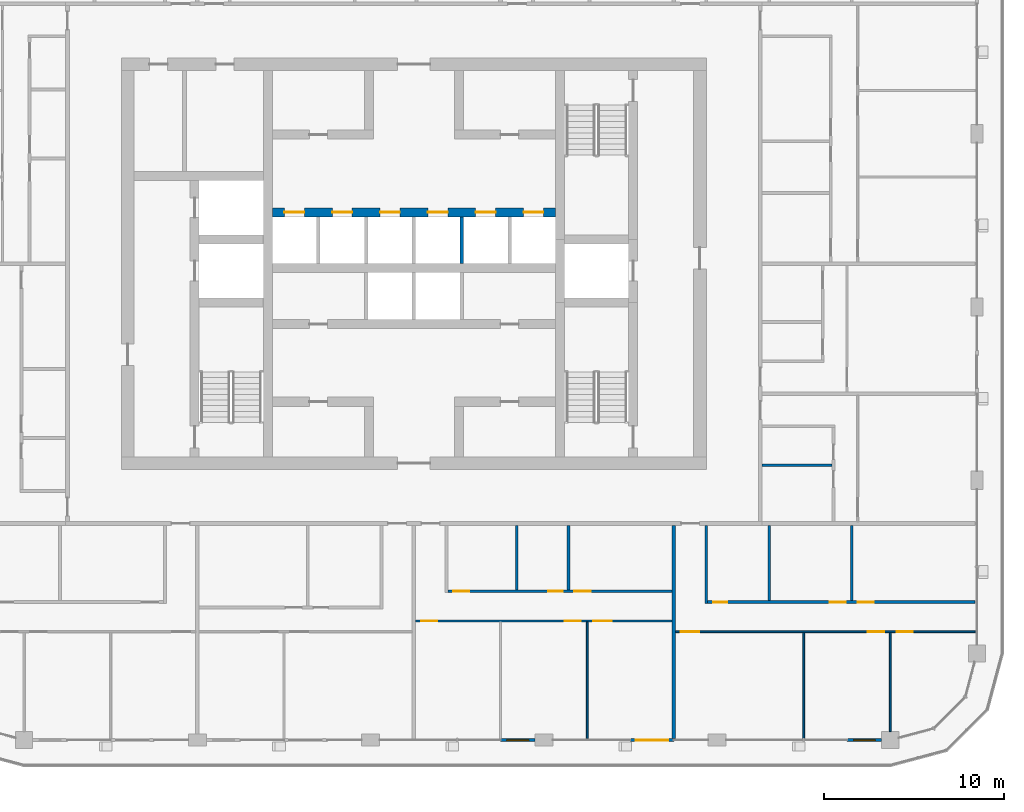
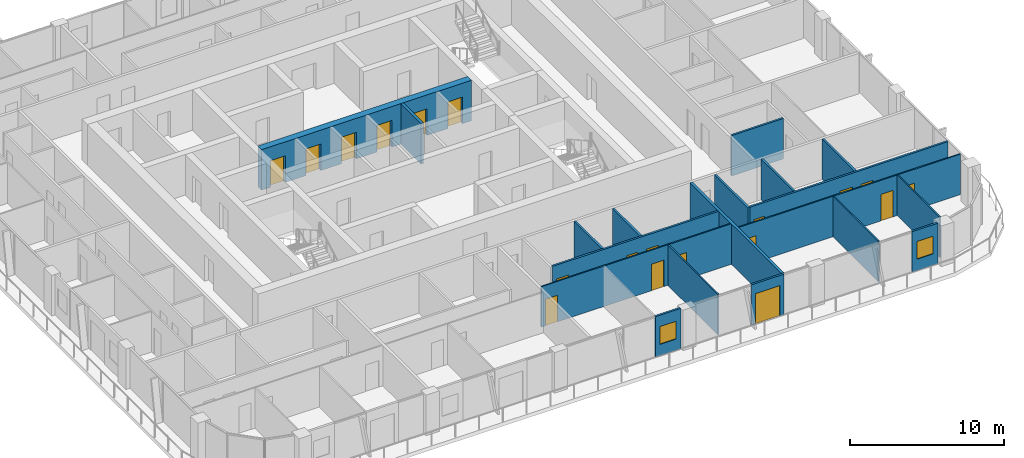
# One storey, part 11 of 21: 19 doors, 19 walls, 2 windows, 21 openings.
"""IFC4 building model written with IfcOpenShell, lengths in metres."""

from ifc_helpers import new_model, si_unit, direction, frame, frame_2d, origin, place, context, subcontext, project, spatial, rectangle, extrude, material, layer, layer_set, type_object, element, fill, save


model = new_model("IFC4")

# Units and contexts
model_context = context("Model", 3, precision=1e-05, world=origin(), true_north=direction((0.0, 1.0)))
body_context = subcontext(model_context, "Body", "Model", "MODEL_VIEW")
ifc_project = project(units=[si_unit("LENGTHUNIT", "METRE"), si_unit("AREAUNIT", "SQUARE_METRE"), si_unit("VOLUMEUNIT", "CUBIC_METRE"), si_unit("PLANEANGLEUNIT", "RADIAN"), si_unit("MASSUNIT", "GRAM", prefix="KILO")], contexts=[model_context])

# Site, building, storey
site_placement = place(None, origin())
site = spatial("IfcSite", under=ifc_project, at=site_placement, CompositionType="ELEMENT")
building_placement = place(site_placement, origin())
building = spatial("IfcBuilding", under=site, at=building_placement, Name="Madar Terraces", CompositionType="ELEMENT")
storey_placement = place(building_placement, frame((0.0, 0.0, 196.39990234375)))
storey = spatial("IfcBuildingStorey", under=building, at=storey_placement, Name="L51", CompositionType="ELEMENT", Elevation=196.39990234375)

# Wall, openings, doors
ifc_material_1 = material(Name="Concrete C60/75", Category="concrete")
ifc_layer_1 = layer(ifc_material_1, 0.5)
ifc_layer_set_1 = layer_set([ifc_layer_1], Name="Concrete C60/75 (CIW4 RC wall 500)")
wall_type_1 = type_object("IfcWallType", Name="CIW4 RC wall 500", PredefinedType="SHEAR", material=ifc_layer_set_1)
wall_1_placement = place(storey_placement, frame((23.35009765625, 29.25, 0.0), z_axis=(0.0, 0.0, 1.0), x_axis=(1.0, 0.0, 0.0)))
wall_1 = element("IfcWall", 1, at=wall_1_placement, inside=storey, type_object=wall_type_1, Name="CORE SHAFT WALL", PredefinedType="SHEAR", context=body_context, shape_type="SweptSolid", body=[
    extrude(rectangle(XDim=15.699951171875, YDim=0.5, at=frame_2d((7.85009765625, 0.0))), origin(), (0.0, 0.0, 1.0), 3.2001953125),
])
opening_1_placement = place(wall_1_placement, frame((0.675048828125, 0.0, 0.0)))
opening_1 = element("IfcOpeningElement", 2, at=opening_1_placement, cuts=wall_1, Name="Opening LD", PredefinedType="OPENING", context=body_context, shape_type="SweptSolid", body=[
    extrude(rectangle(XDim=1.10009765625, YDim=2.10009765625, at=frame_2d((0.550048828125, 1.050048828125))), frame((0.0, 0.260009765625, 0.0), z_axis=(0.0, -1.0, 0.0), x_axis=(1.0, 0.0, 0.0)), (0.0, 0.0, 1.0), 0.52001953125),
])
opening_2_placement = place(wall_1_placement, frame((3.324951171875, 0.0, 0.0)))
opening_2 = element("IfcOpeningElement", 3, at=opening_2_placement, cuts=wall_1, Name="Opening LD", PredefinedType="OPENING", context=body_context, shape_type="SweptSolid", body=[
    extrude(rectangle(XDim=1.10009765625, YDim=2.10009765625, at=frame_2d((0.550048828125, 1.050048828125))), frame((0.0, 0.260009765625, 0.0), z_axis=(0.0, -1.0, 0.0), x_axis=(1.0, 0.0, 0.0)), (0.0, 0.0, 1.0), 0.52001953125),
])
opening_3_placement = place(wall_1_placement, frame((5.97509765625, 0.0, 0.0)))
opening_3 = element("IfcOpeningElement", 4, at=opening_3_placement, cuts=wall_1, Name="Opening LD", PredefinedType="OPENING", context=body_context, shape_type="SweptSolid", body=[
    extrude(rectangle(XDim=1.10009765625, YDim=2.10009765625, at=frame_2d((0.550048828125, 1.050048828125))), frame((0.0, 0.260009765625, 0.0), z_axis=(0.0, -1.0, 0.0), x_axis=(1.0, 0.0, 0.0)), (0.0, 0.0, 1.0), 0.52001953125),
])
opening_4_placement = place(wall_1_placement, frame((8.625, 0.0, 0.0)))
opening_4 = element("IfcOpeningElement", 5, at=opening_4_placement, cuts=wall_1, Name="Opening LD", PredefinedType="OPENING", context=body_context, shape_type="SweptSolid", body=[
    extrude(rectangle(XDim=1.10009765625, YDim=2.10009765625, at=frame_2d((0.550048828125, 1.050048828125))), frame((0.0, 0.260009765625, 0.0), z_axis=(0.0, -1.0, 0.0), x_axis=(1.0, 0.0, 0.0)), (0.0, 0.0, 1.0), 0.52001953125),
])
opening_5_placement = place(wall_1_placement, frame((11.27490234375, 0.0, 0.0)))
opening_5 = element("IfcOpeningElement", 6, at=opening_5_placement, cuts=wall_1, Name="Opening LD", PredefinedType="OPENING", context=body_context, shape_type="SweptSolid", body=[
    extrude(rectangle(XDim=1.10009765625, YDim=2.10009765625, at=frame_2d((0.550048828125, 1.050048828125))), frame((0.0, 0.260009765625, 0.0), z_axis=(0.0, -1.0, 0.0), x_axis=(1.0, 0.0, 0.0)), (0.0, 0.0, 1.0), 0.52001953125),
])
opening_6_placement = place(wall_1_placement, frame((13.925048828125, 0.0, 0.0)))
opening_6 = element("IfcOpeningElement", 7, at=opening_6_placement, cuts=wall_1, Name="Opening LD", PredefinedType="OPENING", context=body_context, shape_type="SweptSolid", body=[
    extrude(rectangle(XDim=1.10009765625, YDim=2.10009765625, at=frame_2d((0.550048828125, 1.050048828125))), frame((0.0, 0.260009765625, 0.0), z_axis=(0.0, -1.0, 0.0), x_axis=(1.0, 0.0, 0.0)), (0.0, 0.0, 1.0), 0.52001953125),
])
ifc_material_2 = material(Name="Stainless steel panel", Category="steel")
door_type_1 = type_object("IfcDoorType", Name="Lift landing door 1100 x 2100", OperationType="DOUBLE_DOOR_SLIDING", PredefinedType="DOOR", material=ifc_material_2)
door_1_placement = place(opening_1_placement, origin())
door_1 = element("IfcDoor", 8, at=door_1_placement, inside=storey, type_object=door_type_1, Name="LIFT LANDING DOOR", OperationType="DOUBLE_DOOR_SLIDING", OverallHeight=2.10009765625, OverallWidth=1.10009765625, PredefinedType="DOOR", context=body_context, shape_type="SweptSolid", body=[
    extrude(rectangle(XDim=1.10009765625, YDim=2.10009765625, at=frame_2d((0.550048828125, 1.050048828125))), frame((0.0, 0.02490234375, 0.0), z_axis=(0.0, -1.0, 0.0), x_axis=(1.0, 0.0, 0.0)), (0.0, 0.0, 1.0), 0.050048828125),
])
fill(opening_1, door_1)
door_2_placement = place(opening_2_placement, origin())
door_2 = element("IfcDoor", 9, at=door_2_placement, inside=storey, type_object=door_type_1, Name="LIFT LANDING DOOR", OperationType="DOUBLE_DOOR_SLIDING", OverallHeight=2.10009765625, OverallWidth=1.10009765625, PredefinedType="DOOR", context=body_context, shape_type="SweptSolid", body=[
    extrude(rectangle(XDim=1.10009765625, YDim=2.10009765625, at=frame_2d((0.550048828125, 1.050048828125))), frame((0.0, 0.02490234375, 0.0), z_axis=(0.0, -1.0, 0.0), x_axis=(1.0, 0.0, 0.0)), (0.0, 0.0, 1.0), 0.050048828125),
])
fill(opening_2, door_2)
door_3_placement = place(opening_3_placement, origin())
door_3 = element("IfcDoor", 10, at=door_3_placement, inside=storey, type_object=door_type_1, Name="LIFT LANDING DOOR", OperationType="DOUBLE_DOOR_SLIDING", OverallHeight=2.10009765625, OverallWidth=1.10009765625, PredefinedType="DOOR", context=body_context, shape_type="SweptSolid", body=[
    extrude(rectangle(XDim=1.10009765625, YDim=2.10009765625, at=frame_2d((0.550048828125, 1.050048828125))), frame((0.0, 0.02490234375, 0.0), z_axis=(0.0, -1.0, 0.0), x_axis=(1.0, 0.0, 0.0)), (0.0, 0.0, 1.0), 0.050048828125),
])
fill(opening_3, door_3)
door_4_placement = place(opening_4_placement, origin())
door_4 = element("IfcDoor", 11, at=door_4_placement, inside=storey, type_object=door_type_1, Name="LIFT LANDING DOOR", OperationType="DOUBLE_DOOR_SLIDING", OverallHeight=2.10009765625, OverallWidth=1.10009765625, PredefinedType="DOOR", context=body_context, shape_type="SweptSolid", body=[
    extrude(rectangle(XDim=1.10009765625, YDim=2.10009765625, at=frame_2d((0.550048828125, 1.050048828125))), frame((0.0, 0.02490234375, 0.0), z_axis=(0.0, -1.0, 0.0), x_axis=(1.0, 0.0, 0.0)), (0.0, 0.0, 1.0), 0.050048828125),
])
fill(opening_4, door_4)
door_5_placement = place(opening_5_placement, origin())
door_5 = element("IfcDoor", 12, at=door_5_placement, inside=storey, type_object=door_type_1, Name="LIFT LANDING DOOR", OperationType="DOUBLE_DOOR_SLIDING", OverallHeight=2.10009765625, OverallWidth=1.10009765625, PredefinedType="DOOR", context=body_context, shape_type="SweptSolid", body=[
    extrude(rectangle(XDim=1.10009765625, YDim=2.10009765625, at=frame_2d((0.550048828125, 1.050048828125))), frame((0.0, 0.02490234375, 0.0), z_axis=(0.0, -1.0, 0.0), x_axis=(1.0, 0.0, 0.0)), (0.0, 0.0, 1.0), 0.050048828125),
])
fill(opening_5, door_5)
door_6_placement = place(opening_6_placement, origin())
door_6 = element("IfcDoor", 13, at=door_6_placement, inside=storey, type_object=door_type_1, Name="LIFT LANDING DOOR", OperationType="DOUBLE_DOOR_SLIDING", OverallHeight=2.10009765625, OverallWidth=1.10009765625, PredefinedType="DOOR", context=body_context, shape_type="SweptSolid", body=[
    extrude(rectangle(XDim=1.10009765625, YDim=2.10009765625, at=frame_2d((0.550048828125, 1.050048828125))), frame((0.0, 0.02490234375, 0.0), z_axis=(0.0, -1.0, 0.0), x_axis=(1.0, 0.0, 0.0)), (0.0, 0.0, 1.0), 0.050048828125),
])
fill(opening_6, door_6)

# Wall
ifc_material_3 = material(Name="Concrete C40/50", Category="concrete")
ifc_layer_2 = layer(ifc_material_3, 0.199951171875)
ifc_layer_set_2 = layer_set([ifc_layer_2], Name="Core shaft dividing wall 200 C40/50")
wall_type_2 = type_object("IfcWallType", Name="Core shaft dividing wall 200 C40/50", PredefinedType="SOLIDWALL", material=ifc_layer_set_2)
wall_2_placement = place(storey_placement, frame((33.85009765625, 26.39990234375, 0.0), z_axis=(0.0, 0.0, 1.0), x_axis=(0.0, 1.0, 0.0)))
element("IfcWall", 14, at=wall_2_placement, inside=storey, type_object=wall_type_2, Name="SHAFT DIVIDING WALL", PredefinedType="SOLIDWALL", context=body_context, shape_type="SweptSolid", body=[
    extrude(rectangle(XDim=2.60009765625, YDim=0.199951171875, at=frame_2d((1.300048828125, 0.0))), origin(), (0.0, 0.0, 1.0), 3.2001953125),
])

# Wall, opening, window
ifc_material_4 = material(Name="Aluminium composite panel, black, over insulated backing", Category="aluminium")
ifc_layer_3 = layer(ifc_material_4, 0.14990234375)
ifc_layer_set_3 = layer_set([ifc_layer_3], Name="Facade bay panel 150")
wall_type_3 = type_object("IfcWallType", Name="Facade bay panel 150", PredefinedType="SOLIDWALL", material=ifc_layer_set_3)
wall_3_placement = place(storey_placement, frame((36.0, 0.0, 0.0), z_axis=(0.0, 0.0, 1.0), x_axis=(1.0, 0.0, 0.0)))
wall_3 = element("IfcWall", 15, at=wall_3_placement, inside=storey, type_object=wall_type_3, Name="Facade bay panel", PredefinedType="SOLIDWALL", context=body_context, shape_type="SweptSolid", body=[
    extrude(rectangle(XDim=1.89990234375, YDim=0.14990234375, at=frame_2d((0.949951171875, 0.0))), origin(), (0.0, 0.0, 1.0), 3.2001953125),
])
opening_7_placement = place(wall_3_placement, frame((0.35009765625, 0.0, 0.89990234375)))
opening_7 = element("IfcOpeningElement", 16, at=opening_7_placement, cuts=wall_3, Name="Opening W1", PredefinedType="OPENING", context=body_context, shape_type="SweptSolid", body=[
    extrude(rectangle(XDim=1.199951171875, YDim=1.39990234375, at=frame_2d((0.60009765625, 0.699951171875))), frame((0.0, 0.0849609375, 0.0), z_axis=(0.0, -1.0, 0.0), x_axis=(1.0, 0.0, 0.0)), (0.0, 0.0, 1.0), 0.169921875),
])
ifc_material_5 = material(Name="Glass, clear, with black aluminium frame", Category="aluminium")
window_type = type_object("IfcWindowType", Name="Vent window 1200 x 1400", PartitioningType="SINGLE_PANEL", PredefinedType="WINDOW", material=ifc_material_5)
window_1_placement = place(opening_7_placement, origin())
window_1 = element("IfcWindow", 17, at=window_1_placement, inside=storey, type_object=window_type, Name="Operable vent window", OverallHeight=1.39990234375, OverallWidth=1.199951171875, PartitioningType="SINGLE_PANEL", PredefinedType="WINDOW", context=body_context, shape_type="SweptSolid", body=[
    extrude(rectangle(XDim=1.199951171875, YDim=1.39990234375, at=frame_2d((0.60009765625, 0.699951171875))), frame((0.0, 0.030029296875, 0.0), z_axis=(0.0, -1.0, 0.0), x_axis=(1.0, 0.0, 0.0)), (0.0, 0.0, 1.0), 0.06005859375),
])
fill(opening_7, window_1)

# Wall, opening, door
wall_4_placement = place(storey_placement, frame((43.199951171875, 0.0, 0.0), z_axis=(0.0, 0.0, 1.0), x_axis=(1.0, 0.0, 0.0)))
wall_4 = element("IfcWall", 18, at=wall_4_placement, inside=storey, type_object=wall_type_3, Name="Facade bay panel", PredefinedType="SOLIDWALL", context=body_context, shape_type="SweptSolid", body=[
    extrude(rectangle(XDim=2.400146484375, YDim=0.14990234375, at=frame_2d((1.2001953125, 0.0))), origin(), (0.0, 0.0, 1.0), 3.2001953125),
])
opening_8_placement = place(wall_4_placement, frame((0.300048828125, 0.0, 0.0)))
opening_8 = element("IfcOpeningElement", 19, at=opening_8_placement, cuts=wall_4, Name="Opening ED1", PredefinedType="OPENING", context=body_context, shape_type="SweptSolid", body=[
    extrude(rectangle(XDim=1.800048828125, YDim=2.39990234375, at=frame_2d((0.89990234375, 1.199951171875))), frame((0.0, 0.0849609375, 0.0), z_axis=(0.0, -1.0, 0.0), x_axis=(1.0, 0.0, 0.0)), (0.0, 0.0, 1.0), 0.169921875),
])
ifc_material_6 = material(Name="Glass, clear, with black aluminium frame", Category="aluminium")
door_type_2 = type_object("IfcDoorType", Name="Balcony and terrace sliding door 1800 x 2400", OperationType="SLIDING_TO_LEFT", PredefinedType="DOOR", material=ifc_material_6)
door_7_placement = place(opening_8_placement, origin())
door_7 = element("IfcDoor", 20, at=door_7_placement, inside=storey, type_object=door_type_2, Name="Balcony door", OperationType="SLIDING_TO_LEFT", OverallHeight=2.39990234375, OverallWidth=1.800048828125, PredefinedType="DOOR", context=body_context, shape_type="SweptSolid", body=[
    extrude(rectangle(XDim=1.800048828125, YDim=2.39990234375, at=frame_2d((0.89990234375, 1.199951171875))), frame((0.0, 0.02490234375, 0.0), z_axis=(0.0, -1.0, 0.0), x_axis=(1.0, 0.0, 0.0)), (0.0, 0.0, 1.0), 0.050048828125),
])
fill(opening_8, door_7)

# Wall, opening, window
wall_5_placement = place(storey_placement, frame((55.199951171875, 0.0, 0.0), z_axis=(0.0, 0.0, 1.0), x_axis=(1.0, 0.0, 0.0)))
wall_5 = element("IfcWall", 21, at=wall_5_placement, inside=storey, type_object=wall_type_3, Name="Facade bay panel", PredefinedType="SOLIDWALL", context=body_context, shape_type="SweptSolid", body=[
    extrude(rectangle(XDim=1.925048828125, YDim=0.14990234375, at=frame_2d((0.96240234375, 0.0))), origin(), (0.0, 0.0, 1.0), 3.2001953125),
])
opening_9_placement = place(wall_5_placement, frame((0.362548828125, 0.0, 0.89990234375)))
opening_9 = element("IfcOpeningElement", 22, at=opening_9_placement, cuts=wall_5, Name="Opening W1", PredefinedType="OPENING", context=body_context, shape_type="SweptSolid", body=[
    extrude(rectangle(XDim=1.199951171875, YDim=1.39990234375, at=frame_2d((0.60009765625, 0.699951171875))), frame((0.0, 0.0849609375, 0.0), z_axis=(0.0, -1.0, 0.0), x_axis=(1.0, 0.0, 0.0)), (0.0, 0.0, 1.0), 0.169921875),
])
window_2_placement = place(opening_9_placement, origin())
window_2 = element("IfcWindow", 23, at=window_2_placement, inside=storey, type_object=window_type, Name="Operable vent window", OverallHeight=1.39990234375, OverallWidth=1.199951171875, PartitioningType="SINGLE_PANEL", PredefinedType="WINDOW", context=body_context, shape_type="SweptSolid", body=[
    extrude(rectangle(XDim=1.199951171875, YDim=1.39990234375, at=frame_2d((0.60009765625, 0.699951171875))), frame((0.0, 0.030029296875, 0.0), z_axis=(0.0, -1.0, 0.0), x_axis=(1.0, 0.0, 0.0)), (0.0, 0.0, 1.0), 0.06005859375),
])
fill(opening_9, window_2)

# Wall
ifc_material_7 = material(Name="Gypsum board on steel studs", Category="steel")
ifc_layer_4 = layer(ifc_material_7, 0.10009765625)
ifc_layer_set_4 = layer_set([ifc_layer_4], Name="Flat partition 100")
wall_type_4 = type_object("IfcWallType", Name="Flat partition 100", PredefinedType="PARTITIONING", material=ifc_layer_set_4)
wall_6_placement = place(storey_placement, frame((40.800048828125, 6.550048828125, 0.0), z_axis=(0.0, 0.0, 1.0), x_axis=(0.0, -1.0, 0.0)))
element("IfcWall", 24, at=wall_6_placement, inside=storey, type_object=wall_type_4, Name="Flat partition 100", PredefinedType="PARTITIONING", context=body_context, shape_type="SweptSolid", body=[
    extrude(rectangle(XDim=6.449951171875, YDim=0.10009765625, at=frame_2d((3.22509765625, 0.0))), origin(), (0.0, 0.0, 1.0), 3.2001953125),
])

# Wall, openings, doors
wall_7_placement = place(storey_placement, frame((45.5, 6.60009765625, 0.0), z_axis=(0.0, 0.0, 1.0), x_axis=(-1.0, 0.0, 0.0)))
wall_7 = element("IfcWall", 25, at=wall_7_placement, inside=storey, type_object=wall_type_4, Name="Flat partition 100", PredefinedType="PARTITIONING", context=body_context, shape_type="SweptSolid", body=[
    extrude(rectangle(XDim=14.199951171875, YDim=0.10009765625, at=frame_2d((7.10009765625, 0.0))), origin(), (0.0, 0.0, 1.0), 3.2001953125),
])
opening_10_placement = place(wall_7_placement, frame((13.0, 0.0, 0.0)))
opening_10 = element("IfcOpeningElement", 26, at=opening_10_placement, cuts=wall_7, Name="Opening D2", PredefinedType="OPENING", context=body_context, shape_type="SweptSolid", body=[
    extrude(rectangle(XDim=0.89990234375, YDim=2.10009765625, at=frame_2d((0.449951171875, 1.050048828125))), frame((0.0, 0.06005859375, 0.0), z_axis=(0.0, -1.0, 0.0), x_axis=(1.0, 0.0, 0.0)), (0.0, 0.0, 1.0), 0.1201171875),
])
opening_11_placement = place(wall_7_placement, frame((5.050048828125, 0.0, 0.0)))
opening_11 = element("IfcOpeningElement", 27, at=opening_11_placement, cuts=wall_7, Name="Opening D2", PredefinedType="OPENING", context=body_context, shape_type="SweptSolid", body=[
    extrude(rectangle(XDim=0.89990234375, YDim=2.10009765625, at=frame_2d((0.449951171875, 1.050048828125))), frame((0.0, 0.06005859375, 0.0), z_axis=(0.0, -1.0, 0.0), x_axis=(1.0, 0.0, 0.0)), (0.0, 0.0, 1.0), 0.1201171875),
])
opening_12_placement = place(wall_7_placement, frame((3.35009765625, 0.0, 0.0)))
opening_12 = element("IfcOpeningElement", 28, at=opening_12_placement, cuts=wall_7, Name="Opening D3", PredefinedType="OPENING", context=body_context, shape_type="SweptSolid", body=[
    extrude(rectangle(XDim=1.0, YDim=2.10009765625, at=frame_2d((0.5, 1.050048828125))), frame((0.0, 0.06005859375, 0.0), z_axis=(0.0, -1.0, 0.0), x_axis=(1.0, 0.0, 0.0)), (0.0, 0.0, 1.0), 0.1201171875),
])
ifc_material_8 = material(Name="Timber door leaf", Category="wood")
door_type_3 = type_object("IfcDoorType", Name="Flat living room door 1000", OperationType="NOTDEFINED", PredefinedType="DOOR", material=ifc_material_8)
door_8_placement = place(opening_12_placement, origin())
door_8 = element("IfcDoor", 29, at=door_8_placement, inside=storey, type_object=door_type_3, Name="Flat living room door 1000", OperationType="SINGLE_SWING_RIGHT", OverallHeight=2.10009765625, OverallWidth=1.0, PredefinedType="DOOR", context=body_context, shape_type="SweptSolid", body=[
    extrude(rectangle(XDim=1.0, YDim=2.10009765625, at=frame_2d((0.5, 1.050048828125))), frame((0.0, 0.02490234375, 0.0), z_axis=(0.0, -1.0, 0.0), x_axis=(1.0, 0.0, 0.0)), (0.0, 0.0, 1.0), 0.050048828125),
])
fill(opening_12, door_8)
ifc_material_9 = material(Name="Timber door leaf", Category="wood")
door_type_4 = type_object("IfcDoorType", Name="Flat room door 900", OperationType="NOTDEFINED", PredefinedType="DOOR", material=ifc_material_9)
door_9_placement = place(opening_10_placement, origin())
door_9 = element("IfcDoor", 30, at=door_9_placement, inside=storey, type_object=door_type_4, Name="Flat room door 900", OperationType="SINGLE_SWING_RIGHT", OverallHeight=2.10009765625, OverallWidth=0.89990234375, PredefinedType="DOOR", context=body_context, shape_type="SweptSolid", body=[
    extrude(rectangle(XDim=0.89990234375, YDim=2.10009765625, at=frame_2d((0.449951171875, 1.050048828125))), frame((0.0, 0.02490234375, 0.0), z_axis=(0.0, -1.0, 0.0), x_axis=(1.0, 0.0, 0.0)), (0.0, 0.0, 1.0), 0.050048828125),
])
fill(opening_10, door_9)
door_10_placement = place(opening_11_placement, origin())
door_10 = element("IfcDoor", 31, at=door_10_placement, inside=storey, type_object=door_type_4, Name="Flat room door 900", OperationType="SINGLE_SWING_LEFT", OverallHeight=2.10009765625, OverallWidth=0.89990234375, PredefinedType="DOOR", context=body_context, shape_type="SweptSolid", body=[
    extrude(rectangle(XDim=0.89990234375, YDim=2.10009765625, at=frame_2d((0.449951171875, 1.050048828125))), frame((0.0, 0.02490234375, 0.0), z_axis=(0.0, -1.0, 0.0), x_axis=(1.0, 0.0, 0.0)), (0.0, 0.0, 1.0), 0.050048828125),
])
fill(opening_11, door_10)

# Walls
wall_8_placement = place(storey_placement, frame((52.800048828125, 5.949951171875, 0.0), z_axis=(0.0, 0.0, 1.0), x_axis=(0.0, -1.0, 0.0)))
element("IfcWall", 32, at=wall_8_placement, inside=storey, type_object=wall_type_4, Name="Flat partition 100", PredefinedType="PARTITIONING", context=body_context, shape_type="SweptSolid", body=[
    extrude(rectangle(XDim=5.849853515625, YDim=0.10009765625, at=frame_2d((2.9248046875, 0.0))), origin(), (0.0, 0.0, 1.0), 3.2001953125),
])
wall_9_placement = place(storey_placement, frame((57.60009765625, 5.949951171875, 0.0), z_axis=(0.0, 0.0, 1.0), x_axis=(0.0, -1.0, 0.0)))
element("IfcWall", 33, at=wall_9_placement, inside=storey, type_object=wall_type_4, Name="Flat partition 100", PredefinedType="PARTITIONING", context=body_context, shape_type="SweptSolid", body=[
    extrude(rectangle(XDim=5.474853515625, YDim=0.10009765625, at=frame_2d((2.7373046875, 0.0))), origin(), (0.0, 0.0, 1.0), 3.2001953125),
])

# Wall, openings, doors
wall_10_placement = place(storey_placement, frame((62.300048828125, 6.0, 0.0), z_axis=(0.0, 0.0, 1.0), x_axis=(-1.0, 0.0, 0.0)))
wall_10 = element("IfcWall", 34, at=wall_10_placement, inside=storey, type_object=wall_type_4, Name="Flat partition 100", PredefinedType="PARTITIONING", context=body_context, shape_type="SweptSolid", body=[
    extrude(rectangle(XDim=16.60009765625, YDim=0.10009765625, at=frame_2d((8.300048828125, 0.0))), origin(), (0.0, 0.0, 1.0), 3.2001953125),
])
opening_13_placement = place(wall_10_placement, frame((15.300048828125, 0.0, 0.0)))
opening_13 = element("IfcOpeningElement", 35, at=opening_13_placement, cuts=wall_10, Name="Opening D3", PredefinedType="OPENING", context=body_context, shape_type="SweptSolid", body=[
    extrude(rectangle(XDim=1.0, YDim=2.10009765625, at=frame_2d((0.5, 1.050048828125))), frame((0.0, 0.06005859375, 0.0), z_axis=(0.0, -1.0, 0.0), x_axis=(1.0, 0.0, 0.0)), (0.0, 0.0, 1.0), 0.1201171875),
])
opening_14_placement = place(wall_10_placement, frame((5.050048828125, 0.0, 0.0)))
opening_14 = element("IfcOpeningElement", 36, at=opening_14_placement, cuts=wall_10, Name="Opening D2", PredefinedType="OPENING", context=body_context, shape_type="SweptSolid", body=[
    extrude(rectangle(XDim=0.89990234375, YDim=2.10009765625, at=frame_2d((0.449951171875, 1.050048828125))), frame((0.0, 0.06005859375, 0.0), z_axis=(0.0, -1.0, 0.0), x_axis=(1.0, 0.0, 0.0)), (0.0, 0.0, 1.0), 0.1201171875),
])
opening_15_placement = place(wall_10_placement, frame((3.449951171875, 0.0, 0.0)))
opening_15 = element("IfcOpeningElement", 37, at=opening_15_placement, cuts=wall_10, Name="Opening D2", PredefinedType="OPENING", context=body_context, shape_type="SweptSolid", body=[
    extrude(rectangle(XDim=0.89990234375, YDim=2.10009765625, at=frame_2d((0.449951171875, 1.050048828125))), frame((0.0, 0.06005859375, 0.0), z_axis=(0.0, -1.0, 0.0), x_axis=(1.0, 0.0, 0.0)), (0.0, 0.0, 1.0), 0.1201171875),
])
door_11_placement = place(opening_13_placement, origin())
door_11 = element("IfcDoor", 38, at=door_11_placement, inside=storey, type_object=door_type_3, Name="Flat living room door 1000", OperationType="SINGLE_SWING_RIGHT", OverallHeight=2.10009765625, OverallWidth=1.0, PredefinedType="DOOR", context=body_context, shape_type="SweptSolid", body=[
    extrude(rectangle(XDim=1.0, YDim=2.10009765625, at=frame_2d((0.5, 1.050048828125))), frame((0.0, 0.02490234375, 0.0), z_axis=(0.0, -1.0, 0.0), x_axis=(1.0, 0.0, 0.0)), (0.0, 0.0, 1.0), 0.050048828125),
])
fill(opening_13, door_11)
door_12_placement = place(opening_14_placement, origin())
door_12 = element("IfcDoor", 39, at=door_12_placement, inside=storey, type_object=door_type_4, Name="Flat room door 900", OperationType="SINGLE_SWING_LEFT", OverallHeight=2.10009765625, OverallWidth=0.89990234375, PredefinedType="DOOR", context=body_context, shape_type="SweptSolid", body=[
    extrude(rectangle(XDim=0.89990234375, YDim=2.10009765625, at=frame_2d((0.449951171875, 1.050048828125))), frame((0.0, 0.02490234375, 0.0), z_axis=(0.0, -1.0, 0.0), x_axis=(1.0, 0.0, 0.0)), (0.0, 0.0, 1.0), 0.050048828125),
])
fill(opening_14, door_12)
door_13_placement = place(opening_15_placement, origin())
door_13 = element("IfcDoor", 40, at=door_13_placement, inside=storey, type_object=door_type_4, Name="Flat room door 900", OperationType="SINGLE_SWING_RIGHT", OverallHeight=2.10009765625, OverallWidth=0.89990234375, PredefinedType="DOOR", context=body_context, shape_type="SweptSolid", body=[
    extrude(rectangle(XDim=0.89990234375, YDim=2.10009765625, at=frame_2d((0.449951171875, 1.050048828125))), frame((0.0, 0.02490234375, 0.0), z_axis=(0.0, -1.0, 0.0), x_axis=(1.0, 0.0, 0.0)), (0.0, 0.0, 1.0), 0.050048828125),
])
fill(opening_15, door_13)

# Walls
ifc_material_10 = material(Name="Lightweight blockwork", Category="masonry")
ifc_layer_5 = layer(ifc_material_10, 0.199951171875)
ifc_layer_set_5 = layer_set([ifc_layer_5], Name="Flat party and entrance wall 200")
wall_type_5 = type_object("IfcWallType", Name="Flat party and entrance wall 200", PredefinedType="PARTITIONING", material=ifc_layer_set_5)
wall_11_placement = place(storey_placement, frame((45.60009765625, 11.89990234375, 0.0), z_axis=(0.0, 0.0, 1.0), x_axis=(0.0, -1.0, 0.0)))
element("IfcWall", 41, at=wall_11_placement, inside=storey, type_object=wall_type_5, Name="Flat party and entrance wall 200", PredefinedType="PARTITIONING", context=body_context, shape_type="SweptSolid", body=[
    extrude(rectangle(XDim=11.7998046875, YDim=0.199951171875, at=frame_2d((5.89990234375, 0.0))), origin(), (0.0, 0.0, 1.0), 3.2001953125),
])
ifc_material_11 = material(Name="Lightweight blockwork", Category="masonry")
ifc_layer_6 = layer(ifc_material_11, 0.14990234375)
ifc_layer_set_6 = layer_set([ifc_layer_6], Name="Flat wet-room partition 150")
wall_type_6 = type_object("IfcWallType", Name="Flat wet-room partition 150", PredefinedType="PARTITIONING", material=ifc_layer_set_6)
for number, where, z_axis, x_axis, name in (
    (42, (36.898193359375, 11.89990234375, 0.0), (0.0, 0.0, 1.0), (0.0, -1.0, 0.0), "Flat wet-room partition 150"),
    (43, (39.765380859375, 11.89990234375, 0.0), (0.0, 0.0, 1.0), (0.0, -1.0, 0.0), "Flat wet-room partition 150"),
):
    element("IfcWall", number, at=place(storey_placement, frame(where, z_axis=z_axis, x_axis=x_axis)), inside=storey, type_object=wall_type_6, Name=name, PredefinedType="PARTITIONING", context=body_context, shape_type="SweptSolid", body=[
        extrude(rectangle(XDim=3.574951171875, YDim=0.14990234375, at=frame_2d((1.78759765625, 0.0))), origin(), (0.0, 0.0, 1.0), 3.2001953125),
    ])

# Wall, openings, doors
wall_12_placement = place(storey_placement, frame((33.074951171875, 8.25, 0.0), z_axis=(0.0, 0.0, 1.0), x_axis=(1.0, 0.0, 0.0)))
wall_12 = element("IfcWall", 44, at=wall_12_placement, inside=storey, type_object=wall_type_6, Name="Flat wet-room partition 150", PredefinedType="PARTITIONING", context=body_context, shape_type="SweptSolid", body=[
    extrude(rectangle(XDim=12.425048828125, YDim=0.14990234375, at=frame_2d((6.21240234375, 0.0))), origin(), (0.0, 0.0, 1.0), 3.2001953125),
])
opening_16_placement = place(wall_12_placement, frame((0.300048828125, 0.0, 0.0)))
opening_16 = element("IfcOpeningElement", 45, at=opening_16_placement, cuts=wall_12, Name="Opening D5", PredefinedType="OPENING", context=body_context, shape_type="SweptSolid", body=[
    extrude(rectangle(XDim=0.89990234375, YDim=2.10009765625, at=frame_2d((0.449951171875, 1.050048828125))), frame((0.0, 0.0849609375, 0.0), z_axis=(0.0, -1.0, 0.0), x_axis=(1.0, 0.0, 0.0)), (0.0, 0.0, 1.0), 0.169921875),
])
opening_17_placement = place(wall_12_placement, frame((5.5654296875, 0.0, 0.0)))
opening_17 = element("IfcOpeningElement", 46, at=opening_17_placement, cuts=wall_12, Name="Opening D4", PredefinedType="OPENING", context=body_context, shape_type="SweptSolid", body=[
    extrude(rectangle(XDim=0.800048828125, YDim=2.10009765625, at=frame_2d((0.39990234375, 1.050048828125))), frame((0.0, 0.0849609375, 0.0), z_axis=(0.0, -1.0, 0.0), x_axis=(1.0, 0.0, 0.0)), (0.0, 0.0, 1.0), 0.169921875),
])
opening_18_placement = place(wall_12_placement, frame((7.015380859375, 0.0, 0.0)))
opening_18 = element("IfcOpeningElement", 47, at=opening_18_placement, cuts=wall_12, Name="Opening D2", PredefinedType="OPENING", context=body_context, shape_type="SweptSolid", body=[
    extrude(rectangle(XDim=0.89990234375, YDim=2.10009765625, at=frame_2d((0.449951171875, 1.050048828125))), frame((0.0, 0.0849609375, 0.0), z_axis=(0.0, -1.0, 0.0), x_axis=(1.0, 0.0, 0.0)), (0.0, 0.0, 1.0), 0.169921875),
])
ifc_material_12 = material(Name="Timber door leaf", Category="wood")
door_type_5 = type_object("IfcDoorType", Name="Flat accessible bathroom door 900", OperationType="NOTDEFINED", PredefinedType="DOOR", material=ifc_material_12)
door_14_placement = place(opening_16_placement, origin())
door_14 = element("IfcDoor", 48, at=door_14_placement, inside=storey, type_object=door_type_5, Name="Flat accessible bathroom door 900", OperationType="SINGLE_SWING_LEFT", OverallHeight=2.10009765625, OverallWidth=0.89990234375, PredefinedType="DOOR", context=body_context, shape_type="SweptSolid", body=[
    extrude(rectangle(XDim=0.89990234375, YDim=2.10009765625, at=frame_2d((0.449951171875, 1.050048828125))), frame((0.0, 0.02490234375, 0.0), z_axis=(0.0, -1.0, 0.0), x_axis=(1.0, 0.0, 0.0)), (0.0, 0.0, 1.0), 0.050048828125),
])
fill(opening_16, door_14)
ifc_material_13 = material(Name="Timber door leaf", Category="wood")
door_type_6 = type_object("IfcDoorType", Name="Flat bathroom door 800", OperationType="NOTDEFINED", PredefinedType="DOOR", material=ifc_material_13)
door_15_placement = place(opening_17_placement, origin())
door_15 = element("IfcDoor", 49, at=door_15_placement, inside=storey, type_object=door_type_6, Name="Flat bathroom door 800", OperationType="SINGLE_SWING_RIGHT", OverallHeight=2.10009765625, OverallWidth=0.800048828125, PredefinedType="DOOR", context=body_context, shape_type="SweptSolid", body=[
    extrude(rectangle(XDim=0.800048828125, YDim=2.10009765625, at=frame_2d((0.39990234375, 1.050048828125))), frame((0.0, 0.02490234375, 0.0), z_axis=(0.0, -1.0, 0.0), x_axis=(1.0, 0.0, 0.0)), (0.0, 0.0, 1.0), 0.050048828125),
])
fill(opening_17, door_15)
door_16_placement = place(opening_18_placement, origin())
door_16 = element("IfcDoor", 50, at=door_16_placement, inside=storey, type_object=door_type_4, Name="Flat room door 900", OperationType="SINGLE_SWING_LEFT", OverallHeight=2.10009765625, OverallWidth=0.89990234375, PredefinedType="DOOR", context=body_context, shape_type="SweptSolid", body=[
    extrude(rectangle(XDim=0.89990234375, YDim=2.10009765625, at=frame_2d((0.449951171875, 1.050048828125))), frame((0.0, 0.02490234375, 0.0), z_axis=(0.0, -1.0, 0.0), x_axis=(1.0, 0.0, 0.0)), (0.0, 0.0, 1.0), 0.050048828125),
])
fill(opening_18, door_16)

# Walls
for number, where, z_axis, x_axis, name in (
    (51, (50.896240234375, 11.89990234375, 0.0), (0.0, 0.0, 1.0), (0.0, -1.0, 0.0), "Flat wet-room partition 150"),
    (52, (55.457763671875, 11.89990234375, 0.0), (0.0, 0.0, 1.0), (0.0, -1.0, 0.0), "Flat wet-room partition 150"),
):
    element("IfcWall", number, at=place(storey_placement, frame(where, z_axis=z_axis, x_axis=x_axis)), inside=storey, type_object=wall_type_6, Name=name, PredefinedType="PARTITIONING", context=body_context, shape_type="SweptSolid", body=[
        extrude(rectangle(XDim=4.1748046875, YDim=0.14990234375, at=frame_2d((2.08740234375, 0.0))), origin(), (0.0, 0.0, 1.0), 3.2001953125),
    ])
wall_13_placement = place(storey_placement, frame((47.39990234375, 11.89990234375, 0.0), z_axis=(0.0, 0.0, 1.0), x_axis=(0.0, -1.0, 0.0)))
element("IfcWall", 53, at=wall_13_placement, inside=storey, type_object=wall_type_6, Name="Flat wet-room partition 150", PredefinedType="PARTITIONING", context=body_context, shape_type="SweptSolid", body=[
    extrude(rectangle(XDim=4.324951171875, YDim=0.14990234375, at=frame_2d((2.16259765625, 0.0))), origin(), (0.0, 0.0, 1.0), 3.2001953125),
])

# Wall, openings, doors
wall_14_placement = place(storey_placement, frame((47.47509765625, 7.64990234375, 0.0), z_axis=(0.0, 0.0, 1.0), x_axis=(1.0, 0.0, 0.0)))
wall_14 = element("IfcWall", 54, at=wall_14_placement, inside=storey, type_object=wall_type_6, Name="Flat wet-room partition 150", PredefinedType="PARTITIONING", context=body_context, shape_type="SweptSolid", body=[
    extrude(rectangle(XDim=14.824951171875, YDim=0.14990234375, at=frame_2d((7.41259765625, 0.0))), origin(), (0.0, 0.0, 1.0), 3.2001953125),
])
opening_19_placement = place(wall_14_placement, frame((0.300048828125, 0.0, 0.0)))
opening_19 = element("IfcOpeningElement", 55, at=opening_19_placement, cuts=wall_14, Name="Opening D4", PredefinedType="OPENING", context=body_context, shape_type="SweptSolid", body=[
    extrude(rectangle(XDim=0.800048828125, YDim=2.10009765625, at=frame_2d((0.39990234375, 1.050048828125))), frame((0.0, 0.0849609375, 0.0), z_axis=(0.0, -1.0, 0.0), x_axis=(1.0, 0.0, 0.0)), (0.0, 0.0, 1.0), 0.169921875),
])
opening_20_placement = place(wall_14_placement, frame((6.7578125, 0.0, 0.0)))
opening_20 = element("IfcOpeningElement", 56, at=opening_20_placement, cuts=wall_14, Name="Opening D5", PredefinedType="OPENING", context=body_context, shape_type="SweptSolid", body=[
    extrude(rectangle(XDim=0.89990234375, YDim=2.10009765625, at=frame_2d((0.449951171875, 1.050048828125))), frame((0.0, 0.0849609375, 0.0), z_axis=(0.0, -1.0, 0.0), x_axis=(1.0, 0.0, 0.0)), (0.0, 0.0, 1.0), 0.169921875),
])
opening_21_placement = place(wall_14_placement, frame((8.3076171875, 0.0, 0.0)))
opening_21 = element("IfcOpeningElement", 57, at=opening_21_placement, cuts=wall_14, Name="Opening D2", PredefinedType="OPENING", context=body_context, shape_type="SweptSolid", body=[
    extrude(rectangle(XDim=0.89990234375, YDim=2.10009765625, at=frame_2d((0.449951171875, 1.050048828125))), frame((0.0, 0.0849609375, 0.0), z_axis=(0.0, -1.0, 0.0), x_axis=(1.0, 0.0, 0.0)), (0.0, 0.0, 1.0), 0.169921875),
])
door_17_placement = place(opening_20_placement, origin())
door_17 = element("IfcDoor", 58, at=door_17_placement, inside=storey, type_object=door_type_5, Name="Flat accessible bathroom door 900", OperationType="SINGLE_SWING_RIGHT", OverallHeight=2.10009765625, OverallWidth=0.89990234375, PredefinedType="DOOR", context=body_context, shape_type="SweptSolid", body=[
    extrude(rectangle(XDim=0.89990234375, YDim=2.10009765625, at=frame_2d((0.449951171875, 1.050048828125))), frame((0.0, 0.02490234375, 0.0), z_axis=(0.0, -1.0, 0.0), x_axis=(1.0, 0.0, 0.0)), (0.0, 0.0, 1.0), 0.050048828125),
])
fill(opening_20, door_17)
door_18_placement = place(opening_19_placement, origin())
door_18 = element("IfcDoor", 59, at=door_18_placement, inside=storey, type_object=door_type_6, Name="Flat bathroom door 800", OperationType="SINGLE_SWING_LEFT", OverallHeight=2.10009765625, OverallWidth=0.800048828125, PredefinedType="DOOR", context=body_context, shape_type="SweptSolid", body=[
    extrude(rectangle(XDim=0.800048828125, YDim=2.10009765625, at=frame_2d((0.39990234375, 1.050048828125))), frame((0.0, 0.02490234375, 0.0), z_axis=(0.0, -1.0, 0.0), x_axis=(1.0, 0.0, 0.0)), (0.0, 0.0, 1.0), 0.050048828125),
])
fill(opening_19, door_18)
door_19_placement = place(opening_21_placement, origin())
door_19 = element("IfcDoor", 60, at=door_19_placement, inside=storey, type_object=door_type_4, Name="Flat room door 900", OperationType="SINGLE_SWING_LEFT", OverallHeight=2.10009765625, OverallWidth=0.89990234375, PredefinedType="DOOR", context=body_context, shape_type="SweptSolid", body=[
    extrude(rectangle(XDim=0.89990234375, YDim=2.10009765625, at=frame_2d((0.449951171875, 1.050048828125))), frame((0.0, 0.02490234375, 0.0), z_axis=(0.0, -1.0, 0.0), x_axis=(1.0, 0.0, 0.0)), (0.0, 0.0, 1.0), 0.050048828125),
])
fill(opening_21, door_19)

# Wall
wall_15_placement = place(storey_placement, frame((50.5, 15.235107421875, 0.0), z_axis=(0.0, 0.0, 1.0), x_axis=(1.0, 0.0, 0.0)))
element("IfcWall", 61, at=wall_15_placement, inside=storey, type_object=wall_type_6, Name="Flat wet-room partition 150", PredefinedType="PARTITIONING", context=body_context, shape_type="SweptSolid", body=[
    extrude(rectangle(XDim=3.875, YDim=0.14990234375, at=frame_2d((1.9375, 0.0))), origin(), (0.0, 0.0, 1.0), 3.2001953125),
])

save(model, "model.ifc")
